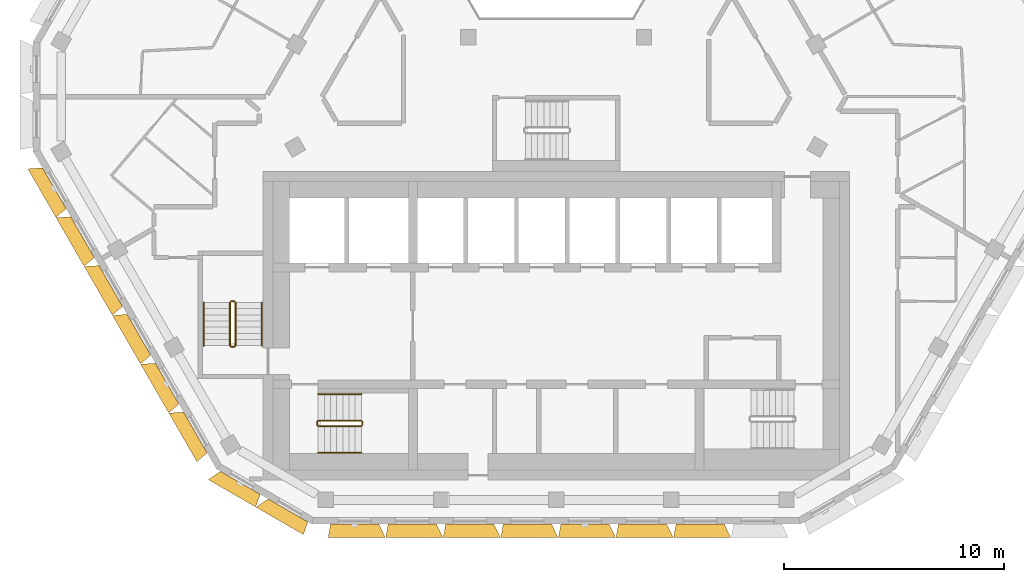
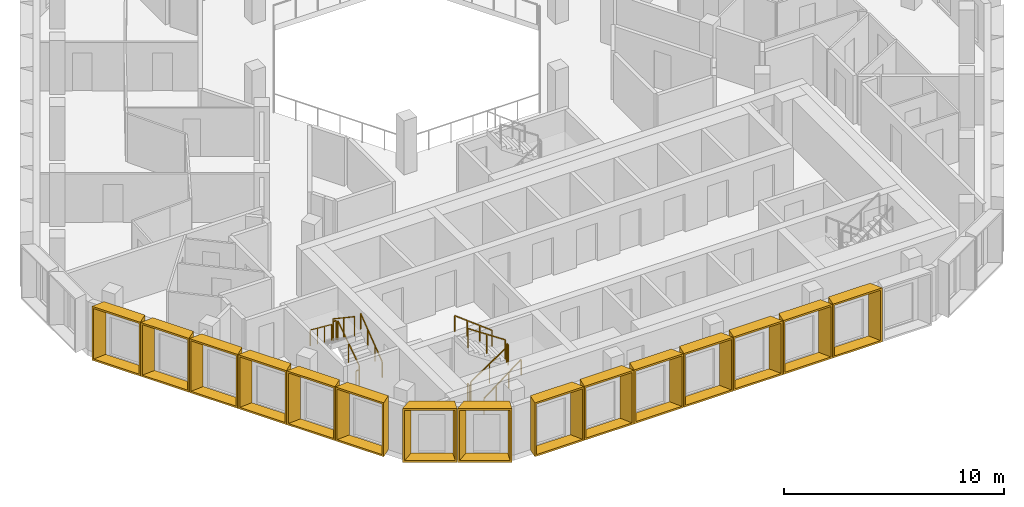
# One storey, part 12 of 16: 15 shading devices, 12 railings.
"""IFC4 building model written with IfcOpenShell, lengths in metres."""

from ifc_helpers import new_model, entity, si_unit, direction, frame, origin, origin_2d, place, context, subcontext, project, spatial, rectangle, extrude, source, transform, mapped, material, type_object, type_shapes, element, save


model = new_model("IFC4")

# Units and contexts
model_context = context("Model", 3, precision=1e-05, world=origin(), true_north=direction((0.0, 1.0)))
body_context = subcontext(model_context, "Body", "Model", "MODEL_VIEW")
ifc_project = project(units=[si_unit("LENGTHUNIT", "METRE"), si_unit("AREAUNIT", "SQUARE_METRE"), si_unit("VOLUMEUNIT", "CUBIC_METRE"), si_unit("PLANEANGLEUNIT", "RADIAN"), si_unit("MASSUNIT", "GRAM", prefix="KILO")], contexts=[model_context])

# Site, building, storey
site_placement = place(None, origin())
site = spatial("IfcSite", under=ifc_project, at=site_placement, CompositionType="ELEMENT")
building_placement = place(site_placement, origin())
building = spatial("IfcBuilding", under=site, at=building_placement, Name="Beryl Residences", CompositionType="ELEMENT")
storey_placement = place(building_placement, frame((0.0, 0.0, 220.800048828125)))
storey = spatial("IfcBuildingStorey", under=building, at=storey_placement, Name="L68", CompositionType="ELEMENT", Elevation=220.800048828125)

# Shading devices
ifc_material_1 = material(Name="Aluminium pale anodised", Category="aluminium")
shading_device_type_1 = type_object("IfcShadingDeviceType", Name="FR250-60B OUTER SKIN frame 600 mm deep, splay 26/10 deg, 2500 x 3000 mm cell", PredefinedType="USERDEFINED", material=ifc_material_1)
cartesian_point_1 = entity("IfcCartesianPoint", [-1.04052734375, 0.0])
cartesian_point_2 = entity("IfcCartesianPoint", [-0.951416015625, 0.10009765625])
cartesian_point_3 = entity("IfcCartesianPoint", [-1.333251953125, 0.0])
cartesian_point_4 = entity("IfcCartesianPoint", [-1.244140625, 0.10009765625])
shared_shape_1 = source(origin(), body_context, "Body", "SweptSolid", [
    entity("IfcExtrudedAreaSolidTapered", entity("IfcArbitraryProfileDefWithVoids", "AREA", None, entity("IfcPolyline", [cartesian_point_1, entity("IfcCartesianPoint", [1.04052734375, 0.0]), entity("IfcCartesianPoint", [1.04052734375, 3.0]), entity("IfcCartesianPoint", [-1.04052734375, 3.0]), cartesian_point_1]), [entity("IfcPolyline", [cartesian_point_2, entity("IfcCartesianPoint", [0.959228515625, 0.10009765625]), entity("IfcCartesianPoint", [0.959228515625, 2.89990234375]), entity("IfcCartesianPoint", [-0.951416015625, 2.89990234375]), cartesian_point_2])]), entity("IfcAxis2Placement3D", entity("IfcCartesianPoint", [0.0, 0.0, 0.0]), entity("IfcDirection", [0.0, 1.0, 0.0]), entity("IfcDirection", [-1.0, 0.0, 0.0])), entity("IfcDirection", [0.0, 0.0, 1.0]), 0.60009765625, entity("IfcArbitraryProfileDefWithVoids", "AREA", None, entity("IfcPolyline", [cartesian_point_3, entity("IfcCartesianPoint", [1.146240234375, 0.0]), entity("IfcCartesianPoint", [1.146240234375, 3.0]), entity("IfcCartesianPoint", [-1.333251953125, 3.0]), cartesian_point_3]), [entity("IfcPolyline", [cartesian_point_4, entity("IfcCartesianPoint", [1.06494140625, 0.10009765625]), entity("IfcCartesianPoint", [1.06494140625, 2.89990234375]), entity("IfcCartesianPoint", [-1.244140625, 2.89990234375]), cartesian_point_4])])),
])
type_shapes(shading_device_type_1, [shared_shape_1])
for number, where, z_axis, x_axis, name in (
    (1, (-14.33203125, -19.125, 0.0), (0.0, 0.0, 1.0), (-0.866025403784, 0.5, 0.0), "FR250-60B frame L68 SW-S 1"),
    (2, (-12.16796875, -20.375, 0.0), (0.0, 0.0, 1.0), (-0.866025403784, 0.5, 0.0), "FR250-60B frame L68 SW-S 2"),
):
    element("IfcShadingDevice", number, at=place(storey_placement, frame(where, z_axis=z_axis, x_axis=x_axis)), inside=storey, type_object=shading_device_type_1, Name=name, ObjectType="OUTER SKIN", PredefinedType="USERDEFINED", context=body_context, shape_type="MappedRepresentation", body=[
        mapped(shared_shape_1, transform((0.0, 0.0, 0.0))),
    ])
ifc_material_2 = material(Name="Aluminium pale anodised", Category="aluminium")
shading_device_type_2 = type_object("IfcShadingDeviceType", Name="FR256-60B OUTER SKIN frame 600 mm deep, splay 26/10 deg, 2560 x 3000 mm cell", PredefinedType="USERDEFINED", material=ifc_material_2)
cartesian_point_5 = entity("IfcCartesianPoint", [-1.070556640625, 0.0])
cartesian_point_6 = entity("IfcCartesianPoint", [-0.9814453125, 0.10009765625])
cartesian_point_7 = entity("IfcCartesianPoint", [-1.363037109375, 0.0])
cartesian_point_8 = entity("IfcCartesianPoint", [-1.274169921875, 0.10009765625])
shared_shape_2 = source(origin(), body_context, "Body", "SweptSolid", [
    entity("IfcExtrudedAreaSolidTapered", entity("IfcArbitraryProfileDefWithVoids", "AREA", None, entity("IfcPolyline", [cartesian_point_5, entity("IfcCartesianPoint", [1.070556640625, 0.0]), entity("IfcCartesianPoint", [1.070556640625, 3.0]), entity("IfcCartesianPoint", [-1.070556640625, 3.0]), cartesian_point_5]), [entity("IfcPolyline", [cartesian_point_6, entity("IfcCartesianPoint", [0.9892578125, 0.10009765625]), entity("IfcCartesianPoint", [0.9892578125, 2.89990234375]), entity("IfcCartesianPoint", [-0.9814453125, 2.89990234375]), cartesian_point_6])]), entity("IfcAxis2Placement3D", entity("IfcCartesianPoint", [0.0, 0.0, 0.0]), entity("IfcDirection", [0.0, 1.0, 0.0]), entity("IfcDirection", [-1.0, 0.0, 0.0])), entity("IfcDirection", [0.0, 0.0, 1.0]), 0.60009765625, entity("IfcArbitraryProfileDefWithVoids", "AREA", None, entity("IfcPolyline", [cartesian_point_7, entity("IfcCartesianPoint", [1.17626953125, 0.0]), entity("IfcCartesianPoint", [1.17626953125, 3.0]), entity("IfcCartesianPoint", [-1.363037109375, 3.0]), cartesian_point_7]), [entity("IfcPolyline", [cartesian_point_8, entity("IfcCartesianPoint", [1.094970703125, 0.10009765625]), entity("IfcCartesianPoint", [1.094970703125, 2.89990234375]), entity("IfcCartesianPoint", [-1.274169921875, 2.89990234375]), cartesian_point_8])])),
])
type_shapes(shading_device_type_2, [shared_shape_2])
for number, where, z_axis, x_axis, name in (
    (3, (-22.77099609375, -5.758056640625, 0.0), (0.0, 0.0, 1.0), (-0.5, 0.866025403784, 0.0), "FR256-60B frame L68 SW 1"),
    (4, (-21.491943359375, -7.97509765625, 0.0), (0.0, 0.0, 1.0), (-0.5, 0.866025403784, 0.0), "FR256-60B frame L68 SW 2"),
    (5, (-20.2119140625, -10.19091796875, 0.0), (0.0, 0.0, 1.0), (-0.5, 0.866025403784, 0.0), "FR256-60B frame L68 SW 3"),
    (6, (-18.931884765625, -12.407958984375, 0.0), (0.0, 0.0, 1.0), (-0.5, 0.866025403784, 0.0), "FR256-60B frame L68 SW 4"),
    (7, (-17.653076171875, -14.6240234375, 0.0), (0.0, 0.0, 1.0), (-0.5, 0.866025403784, 0.0), "FR256-60B frame L68 SW 5"),
    (8, (-16.373046875, -16.841064453125, 0.0), (0.0, 0.0, 1.0), (-0.5, 0.866025403784, 0.0), "FR256-60B frame L68 SW 6"),
):
    element("IfcShadingDevice", number, at=place(storey_placement, frame(where, z_axis=z_axis, x_axis=x_axis)), inside=storey, type_object=shading_device_type_2, Name=name, ObjectType="OUTER SKIN", PredefinedType="USERDEFINED", context=body_context, shape_type="MappedRepresentation", body=[
        mapped(shared_shape_2, transform((0.0, 0.0, 0.0))),
    ])
ifc_material_3 = material(Name="Aluminium pale anodised", Category="aluminium")
shading_device_type_3 = type_object("IfcShadingDeviceType", Name="FR261-60C OUTER SKIN frame 600 mm deep, splay 10/26 deg, 2610 x 3000 mm cell", PredefinedType="USERDEFINED", material=ifc_material_3)
cartesian_point_9 = entity("IfcCartesianPoint", [-1.095458984375, 0.0])
cartesian_point_10 = entity("IfcCartesianPoint", [-1.01416015625, 0.10009765625])
cartesian_point_11 = entity("IfcCartesianPoint", [-1.201416015625, 0.0])
cartesian_point_12 = entity("IfcCartesianPoint", [-1.1201171875, 0.10009765625])
shared_shape_3 = source(origin(), body_context, "Body", "SweptSolid", [
    entity("IfcExtrudedAreaSolidTapered", entity("IfcArbitraryProfileDefWithVoids", "AREA", None, entity("IfcPolyline", [cartesian_point_9, entity("IfcCartesianPoint", [1.095458984375, 0.0]), entity("IfcCartesianPoint", [1.095458984375, 3.0]), entity("IfcCartesianPoint", [-1.095458984375, 3.0]), cartesian_point_9]), [entity("IfcPolyline", [cartesian_point_10, entity("IfcCartesianPoint", [1.006591796875, 0.10009765625]), entity("IfcCartesianPoint", [1.006591796875, 2.89990234375]), entity("IfcCartesianPoint", [-1.01416015625, 2.89990234375]), cartesian_point_10])]), entity("IfcAxis2Placement3D", entity("IfcCartesianPoint", [0.0, 0.0, 0.0]), entity("IfcDirection", [0.0, 1.0, 0.0]), entity("IfcDirection", [-1.0, 0.0, 0.0])), entity("IfcDirection", [0.0, 0.0, 1.0]), 0.60009765625, entity("IfcArbitraryProfileDefWithVoids", "AREA", None, entity("IfcPolyline", [cartesian_point_11, entity("IfcCartesianPoint", [1.38818359375, 0.0]), entity("IfcCartesianPoint", [1.38818359375, 3.0]), entity("IfcCartesianPoint", [-1.201416015625, 3.0]), cartesian_point_11]), [entity("IfcPolyline", [cartesian_point_12, entity("IfcCartesianPoint", [1.299072265625, 0.10009765625]), entity("IfcCartesianPoint", [1.299072265625, 2.89990234375]), entity("IfcCartesianPoint", [-1.1201171875, 2.89990234375]), cartesian_point_12])])),
])
type_shapes(shading_device_type_3, [shared_shape_3])
for number, where, z_axis, x_axis, name in (
    (9, (-9.14404296875, -21.0, 0.0), (0.0, 0.0, 1.0), (-1.0, 0.0, 0.0), "FR261-60C frame L68 S 1"),
    (10, (-6.531005859375, -21.0, 0.0), (0.0, 0.0, 1.0), (-1.0, 0.0, 0.0), "FR261-60C frame L68 S 2"),
    (11, (-3.9189453125, -21.0, 0.0), (0.0, 0.0, 1.0), (-1.0, 0.0, 0.0), "FR261-60C frame L68 S 3"),
    (12, (-1.305908203125, -21.0, 0.0), (0.0, 0.0, 1.0), (-1.0, 0.0, 0.0), "FR261-60C frame L68 S 4"),
    (13, (1.305908203125, -21.0, 0.0), (0.0, 0.0, 1.0), (-1.0, 0.0, 0.0), "FR261-60C frame L68 S 5"),
    (14, (3.9189453125, -21.0, 0.0), (0.0, 0.0, 1.0), (-1.0, 0.0, 0.0), "FR261-60C frame L68 S 6"),
    (15, (6.531005859375, -21.0, 0.0), (0.0, 0.0, 1.0), (-1.0, 0.0, 0.0), "FR261-60C frame L68 S 7"),
):
    element("IfcShadingDevice", number, at=place(storey_placement, frame(where, z_axis=z_axis, x_axis=x_axis)), inside=storey, type_object=shading_device_type_3, Name=name, ObjectType="OUTER SKIN", PredefinedType="USERDEFINED", context=body_context, shape_type="MappedRepresentation", body=[
        mapped(shared_shape_3, transform((0.0, 0.0, 0.0))),
    ])

# Railings
ifc_material_4 = material(Name="Stainless steel balustrade with glass infill", Category="steel")
railing_type_1 = type_object("IfcRailingType", Name="SG1 stair guard 1100 mm", PredefinedType="GUARDRAIL", material=ifc_material_4)
railing_1_placement = place(storey_placement, frame((-10.800048828125, -16.550048828125, 0.1875)))
element("IfcRailing", 16, at=railing_1_placement, inside=storey, type_object=railing_type_1, Name="L68 ST-1 stair guard 1", PredefinedType="GUARDRAIL", context=body_context, shape_type="SweptSolid", body=[
    extrude(rectangle(XDim=0.048095703125, YDim=0.048095703125, at=origin_2d()), frame((0.0, 0.0, 1.076171875), z_axis=(0.830902050051, 0.0, 0.556418712142), x_axis=(0.0, 1.0, 0.0)), (0.0, 0.0, 1.0), 2.35888671875),
    extrude(rectangle(XDim=0.0419921875, YDim=0.0419921875, at=origin_2d()), origin(), (0.0, 0.0, 1.0), 1.052001953125),
    extrude(rectangle(XDim=0.0419921875, YDim=0.0419921875, at=origin_2d()), frame((0.97998046875, 0.0, 0.65625)), (0.0, 0.0, 1.0), 1.052001953125),
    extrude(rectangle(XDim=0.0419921875, YDim=0.0419921875, at=origin_2d()), frame((1.9599609375, 0.0, 1.3125)), (0.0, 0.0, 1.0), 1.052001953125),
])
railing_2_placement = place(storey_placement, frame((-8.7900390625, -16.5, 1.5)))
element("IfcRailing", 17, at=railing_2_placement, inside=storey, type_object=railing_type_1, Name="L68 ST-1 stair guard 2", PredefinedType="GUARDRAIL", context=body_context, shape_type="SweptSolid", body=[
    extrude(rectangle(XDim=0.048095703125, YDim=0.048095703125, at=origin_2d()), frame((0.0, 0.0, 1.076171875), z_axis=(0.0, 1.0, 0.0), x_axis=(-1.0, 0.0, 0.0)), (0.0, 0.0, 1.0), 0.14990234375),
    extrude(rectangle(XDim=0.0419921875, YDim=0.0419921875, at=origin_2d()), origin(), (0.0, 0.0, 1.0), 1.052001953125),
    extrude(rectangle(XDim=0.0419921875, YDim=0.0419921875, at=origin_2d()), frame((0.0, 0.14990234375, 0.0)), (0.0, 0.0, 1.0), 1.052001953125),
])
railing_3_placement = place(storey_placement, frame((-8.840087890625, -16.300048828125, 1.6875)))
element("IfcRailing", 18, at=railing_3_placement, inside=storey, type_object=railing_type_1, Name="L68 ST-1 stair guard 3", PredefinedType="GUARDRAIL", context=body_context, shape_type="SweptSolid", body=[
    extrude(rectangle(XDim=0.048095703125, YDim=0.048095703125, at=origin_2d()), frame((0.0, 0.0, 1.076171875), z_axis=(-0.830902050051, 0.0, 0.556418712142), x_axis=(0.0, -1.0, 0.0)), (0.0, 0.0, 1.0), 2.35888671875),
    extrude(rectangle(XDim=0.0419921875, YDim=0.0419921875, at=origin_2d()), origin(), (0.0, 0.0, 1.0), 1.052001953125),
    extrude(rectangle(XDim=0.0419921875, YDim=0.0419921875, at=origin_2d()), frame((-0.97998046875, 0.0, 0.65625)), (0.0, 0.0, 1.0), 1.052001953125),
    extrude(rectangle(XDim=0.0419921875, YDim=0.0419921875, at=origin_2d()), frame((-1.9599609375, 0.0, 1.3125)), (0.0, 0.0, 1.0), 1.052001953125),
])
railing_4_placement = place(storey_placement, frame((-10.85009765625, -16.5, 0.0)))
element("IfcRailing", 19, at=railing_4_placement, inside=storey, type_object=railing_type_1, Name="L68 ST-1 stair guard 4", PredefinedType="GUARDRAIL", context=body_context, shape_type="SweptSolid", body=[
    extrude(rectangle(XDim=0.048095703125, YDim=0.048095703125, at=origin_2d()), frame((0.0, 0.0, 1.076171875), z_axis=(0.0, 1.0, 0.0), x_axis=(-1.0, 0.0, 0.0)), (0.0, 0.0, 1.0), 0.14990234375),
    extrude(rectangle(XDim=0.0419921875, YDim=0.0419921875, at=origin_2d()), origin(), (0.0, 0.0, 1.0), 1.052001953125),
    extrude(rectangle(XDim=0.0419921875, YDim=0.0419921875, at=origin_2d()), frame((0.0, 0.14990234375, 0.0)), (0.0, 0.0, 1.0), 1.052001953125),
])
railing_5_placement = place(storey_placement, frame((-14.550048828125, -12.89990234375, 0.1875)))
element("IfcRailing", 20, at=railing_5_placement, inside=storey, type_object=railing_type_1, Name="L68 ST-2 stair guard 1", PredefinedType="GUARDRAIL", context=body_context, shape_type="SweptSolid", body=[
    extrude(rectangle(XDim=0.048095703125, YDim=0.048095703125, at=origin_2d()), frame((0.0, 0.0, 1.076171875), z_axis=(0.0, 0.830902050051, 0.556418712142), x_axis=(-1.0, 0.0, 0.0)), (0.0, 0.0, 1.0), 2.35888671875),
    extrude(rectangle(XDim=0.0419921875, YDim=0.0419921875, at=origin_2d()), origin(), (0.0, 0.0, 1.0), 1.052001953125),
    extrude(rectangle(XDim=0.0419921875, YDim=0.0419921875, at=origin_2d()), frame((0.0, 0.97998046875, 0.65625)), (0.0, 0.0, 1.0), 1.052001953125),
    extrude(rectangle(XDim=0.0419921875, YDim=0.0419921875, at=origin_2d()), frame((0.0, 1.9599609375, 1.3125)), (0.0, 0.0, 1.0), 1.052001953125),
])
railing_6_placement = place(storey_placement, frame((-14.60009765625, -10.889892578125, 1.5)))
element("IfcRailing", 21, at=railing_6_placement, inside=storey, type_object=railing_type_1, Name="L68 ST-2 stair guard 2", PredefinedType="GUARDRAIL", context=body_context, shape_type="SweptSolid", body=[
    extrude(rectangle(XDim=0.048095703125, YDim=0.048095703125, at=origin_2d()), frame((0.0, 0.0, 1.076171875), z_axis=(-1.0, 0.0, 0.0), x_axis=(0.0, -1.0, 0.0)), (0.0, 0.0, 1.0), 0.14990234375),
    extrude(rectangle(XDim=0.0419921875, YDim=0.0419921875, at=origin_2d()), origin(), (0.0, 0.0, 1.0), 1.052001953125),
    extrude(rectangle(XDim=0.0419921875, YDim=0.0419921875, at=origin_2d()), frame((-0.14990234375, 0.0, 0.0)), (0.0, 0.0, 1.0), 1.052001953125),
])
railing_7_placement = place(storey_placement, frame((-14.800048828125, -10.93994140625, 1.6875)))
element("IfcRailing", 22, at=railing_7_placement, inside=storey, type_object=railing_type_1, Name="L68 ST-2 stair guard 3", PredefinedType="GUARDRAIL", context=body_context, shape_type="SweptSolid", body=[
    extrude(rectangle(XDim=0.048095703125, YDim=0.048095703125, at=origin_2d()), frame((0.0, 0.0, 1.076171875), z_axis=(0.0, -0.830902050051, 0.556418712142), x_axis=(1.0, 0.0, 0.0)), (0.0, 0.0, 1.0), 2.35888671875),
    extrude(rectangle(XDim=0.0419921875, YDim=0.0419921875, at=origin_2d()), origin(), (0.0, 0.0, 1.0), 1.052001953125),
    extrude(rectangle(XDim=0.0419921875, YDim=0.0419921875, at=origin_2d()), frame((0.0, -0.97998046875, 0.65625)), (0.0, 0.0, 1.0), 1.052001953125),
    extrude(rectangle(XDim=0.0419921875, YDim=0.0419921875, at=origin_2d()), frame((0.0, -1.9599609375, 1.3125)), (0.0, 0.0, 1.0), 1.052001953125),
])
railing_8_placement = place(storey_placement, frame((-14.60009765625, -12.949951171875, 0.0)))
element("IfcRailing", 23, at=railing_8_placement, inside=storey, type_object=railing_type_1, Name="L68 ST-2 stair guard 4", PredefinedType="GUARDRAIL", context=body_context, shape_type="SweptSolid", body=[
    extrude(rectangle(XDim=0.048095703125, YDim=0.048095703125, at=origin_2d()), frame((0.0, 0.0, 1.076171875), z_axis=(-1.0, 0.0, 0.0), x_axis=(0.0, -1.0, 0.0)), (0.0, 0.0, 1.0), 0.14990234375),
    extrude(rectangle(XDim=0.0419921875, YDim=0.0419921875, at=origin_2d()), origin(), (0.0, 0.0, 1.0), 1.052001953125),
    extrude(rectangle(XDim=0.0419921875, YDim=0.0419921875, at=origin_2d()), frame((-0.14990234375, 0.0, 0.0)), (0.0, 0.0, 1.0), 1.052001953125),
])
ifc_material_5 = material(Name="Stainless steel handrail", Category="steel")
railing_type_2 = type_object("IfcRailingType", Name="SRL1 stair handrail 900 mm", PredefinedType="HANDRAIL", material=ifc_material_5)
railing_9_placement = place(storey_placement, frame((-10.800048828125, -17.75, 0.1875)))
element("IfcRailing", 24, at=railing_9_placement, inside=storey, type_object=railing_type_2, Name="L68 ST-1 stair handrail 1", PredefinedType="HANDRAIL", context=body_context, shape_type="SweptSolid", body=[
    extrude(rectangle(XDim=0.048095703125, YDim=0.048095703125, at=origin_2d()), frame((0.0, 0.0, 0.8759765625), z_axis=(0.794121922505, 0.0, 0.607758481798), x_axis=(0.0, 1.0, 0.0)), (0.0, 0.0, 1.0), 2.468017578125),
    extrude(rectangle(XDim=0.0419921875, YDim=0.0419921875, at=origin_2d()), origin(), (0.0, 0.0, 1.0), 0.851806640625),
    extrude(rectangle(XDim=0.0419921875, YDim=0.0419921875, at=origin_2d()), frame((0.6533203125, 0.0, 0.5)), (0.0, 0.0, 1.0), 0.851806640625),
    extrude(rectangle(XDim=0.0419921875, YDim=0.0419921875, at=origin_2d()), frame((1.306640625, 0.0, 1.0)), (0.0, 0.0, 1.0), 0.851806640625),
    extrude(rectangle(XDim=0.0419921875, YDim=0.0419921875, at=origin_2d()), frame((1.9599609375, 0.0, 1.5)), (0.0, 0.0, 1.0), 0.851806640625),
])
railing_10_placement = place(storey_placement, frame((-8.840087890625, -15.10009765625, 1.6875)))
element("IfcRailing", 25, at=railing_10_placement, inside=storey, type_object=railing_type_2, Name="L68 ST-1 stair handrail 2", PredefinedType="HANDRAIL", context=body_context, shape_type="SweptSolid", body=[
    extrude(rectangle(XDim=0.048095703125, YDim=0.048095703125, at=origin_2d()), frame((0.0, 0.0, 0.8759765625), z_axis=(-0.794121922505, 0.0, 0.607758481798), x_axis=(0.0, -1.0, 0.0)), (0.0, 0.0, 1.0), 2.468017578125),
    extrude(rectangle(XDim=0.0419921875, YDim=0.0419921875, at=origin_2d()), origin(), (0.0, 0.0, 1.0), 0.851806640625),
    extrude(rectangle(XDim=0.0419921875, YDim=0.0419921875, at=origin_2d()), frame((-0.6533203125, 0.0, 0.5)), (0.0, 0.0, 1.0), 0.851806640625),
    extrude(rectangle(XDim=0.0419921875, YDim=0.0419921875, at=origin_2d()), frame((-1.306640625, 0.0, 1.0)), (0.0, 0.0, 1.0), 0.851806640625),
    extrude(rectangle(XDim=0.0419921875, YDim=0.0419921875, at=origin_2d()), frame((-1.9599609375, 0.0, 1.5)), (0.0, 0.0, 1.0), 0.851806640625),
])
railing_11_placement = place(storey_placement, frame((-13.35009765625, -12.89990234375, 0.1875)))
element("IfcRailing", 26, at=railing_11_placement, inside=storey, type_object=railing_type_2, Name="L68 ST-2 stair handrail 1", PredefinedType="HANDRAIL", context=body_context, shape_type="SweptSolid", body=[
    extrude(rectangle(XDim=0.048095703125, YDim=0.048095703125, at=origin_2d()), frame((0.0, 0.0, 0.8759765625), z_axis=(0.0, 0.794121922505, 0.607758481798), x_axis=(-1.0, 0.0, 0.0)), (0.0, 0.0, 1.0), 2.468017578125),
    extrude(rectangle(XDim=0.0419921875, YDim=0.0419921875, at=origin_2d()), origin(), (0.0, 0.0, 1.0), 0.851806640625),
    extrude(rectangle(XDim=0.0419921875, YDim=0.0419921875, at=origin_2d()), frame((0.0, 0.6533203125, 0.5)), (0.0, 0.0, 1.0), 0.851806640625),
    extrude(rectangle(XDim=0.0419921875, YDim=0.0419921875, at=origin_2d()), frame((0.0, 1.306640625, 1.0)), (0.0, 0.0, 1.0), 0.851806640625),
    extrude(rectangle(XDim=0.0419921875, YDim=0.0419921875, at=origin_2d()), frame((0.0, 1.9599609375, 1.5)), (0.0, 0.0, 1.0), 0.851806640625),
])
railing_12_placement = place(storey_placement, frame((-16.0, -10.93994140625, 1.6875)))
element("IfcRailing", 27, at=railing_12_placement, inside=storey, type_object=railing_type_2, Name="L68 ST-2 stair handrail 2", PredefinedType="HANDRAIL", context=body_context, shape_type="SweptSolid", body=[
    extrude(rectangle(XDim=0.048095703125, YDim=0.048095703125, at=origin_2d()), frame((0.0, 0.0, 0.8759765625), z_axis=(0.0, -0.794121922505, 0.607758481798), x_axis=(1.0, 0.0, 0.0)), (0.0, 0.0, 1.0), 2.468017578125),
    extrude(rectangle(XDim=0.0419921875, YDim=0.0419921875, at=origin_2d()), origin(), (0.0, 0.0, 1.0), 0.851806640625),
    extrude(rectangle(XDim=0.0419921875, YDim=0.0419921875, at=origin_2d()), frame((0.0, -0.6533203125, 0.5)), (0.0, 0.0, 1.0), 0.851806640625),
    extrude(rectangle(XDim=0.0419921875, YDim=0.0419921875, at=origin_2d()), frame((0.0, -1.306640625, 1.0)), (0.0, 0.0, 1.0), 0.851806640625),
    extrude(rectangle(XDim=0.0419921875, YDim=0.0419921875, at=origin_2d()), frame((0.0, -1.9599609375, 1.5)), (0.0, 0.0, 1.0), 0.851806640625),
])

save(model, "model.ifc")
